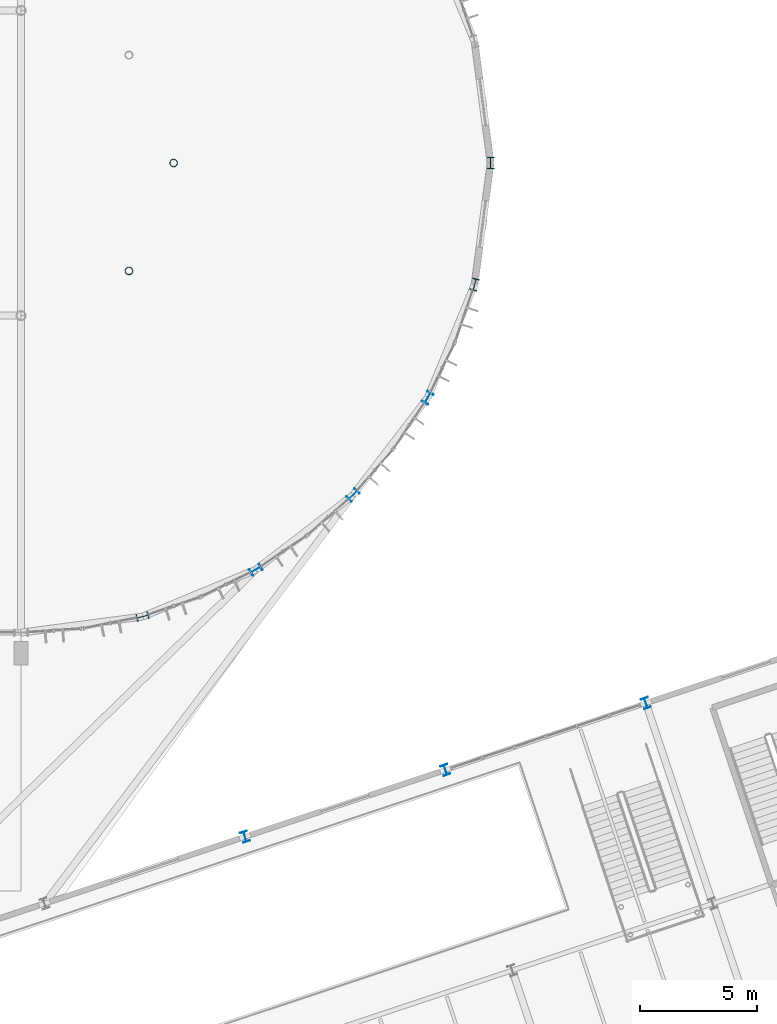
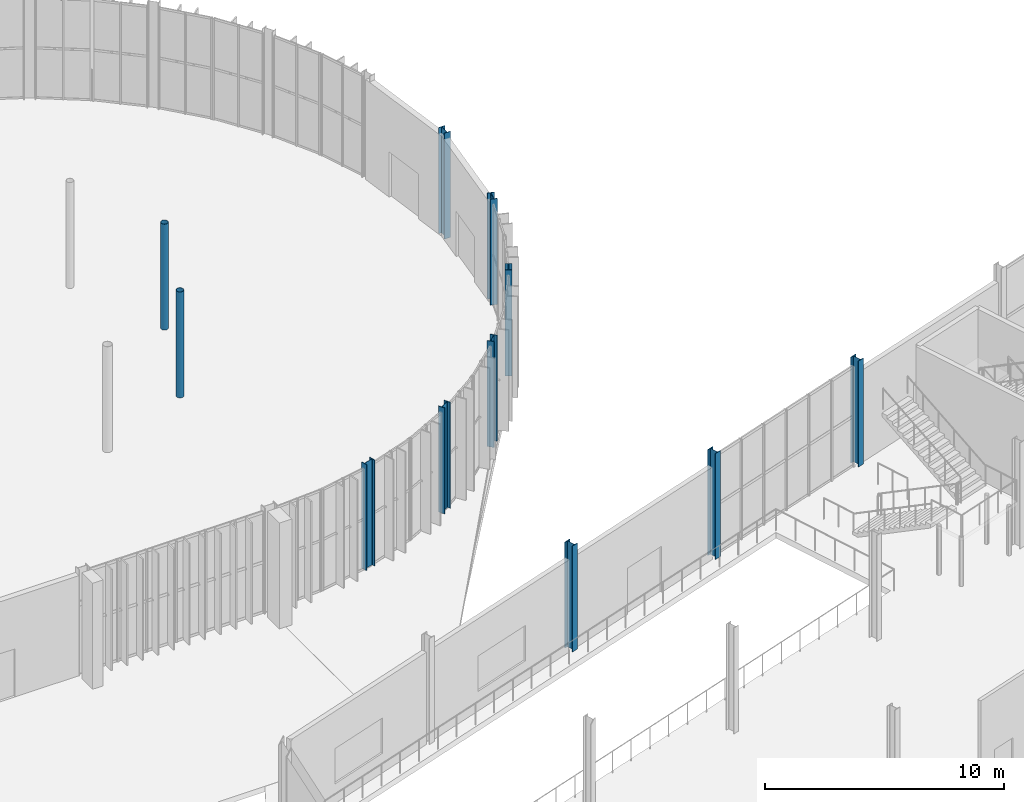
# One storey, part 8 of 158: 11 columns.
"""IFC4 building model written with IfcOpenShell, lengths in metres."""

from ifc_helpers import new_model, si_unit, derived_unit, direction, frame, origin, origin_2d, place, context, subcontext, project, spatial, hollow_circle, i_section, extrude, material, material_profile, profile_set, type_object, element, save


model = new_model("IFC4")

# Units and contexts
model_context = context("Model", 3, precision=1e-05, world=origin(), true_north=direction((0.0, 1.0)))
body_context = subcontext(model_context, "Body", "Model", "MODEL_VIEW")
ifc_project = project(units=[si_unit("LENGTHUNIT", "METRE"), si_unit("AREAUNIT", "SQUARE_METRE"), si_unit("VOLUMEUNIT", "CUBIC_METRE"), si_unit("PLANEANGLEUNIT", "RADIAN"), si_unit("MASSUNIT", "GRAM", prefix="KILO"), si_unit("THERMODYNAMICTEMPERATUREUNIT", "KELVIN"), si_unit("TIMEUNIT", "SECOND"), derived_unit("THERMALTRANSMITTANCEUNIT", [(si_unit("MASSUNIT", "GRAM", prefix="KILO"), 1), (si_unit("THERMODYNAMICTEMPERATUREUNIT", "KELVIN"), -1), (si_unit("TIMEUNIT", "SECOND"), -3)])], contexts=[model_context])

# Site, building, storey
site_placement = place(None, origin())
site = spatial("IfcSite", under=ifc_project, at=site_placement, CompositionType="ELEMENT")
building_placement = place(site_placement, origin())
building = spatial("IfcBuilding", under=site, at=building_placement, Name="Cambertide Market Hall", CompositionType="ELEMENT")
storey_placement = place(building_placement, origin())
storey = spatial("IfcBuildingStorey", under=building, at=storey_placement, Name="L01", CompositionType="ELEMENT", Elevation=0.0)

# Columns
ifc_material_1 = material(Name="Steel S355", Category="steel")
ifc_material_profile_1 = material_profile(ifc_material_1, i_section(OverallWidth=0.300048828125, OverallDepth=0.449951171875, WebThickness=0.013916015625, FlangeThickness=0.02587890625, FilletRadius=0.027099609375, at=origin_2d()), Name="HEB 450")
ifc_profile_set_1 = profile_set([ifc_material_profile_1], Name="Steel S355")
column_type_1 = type_object("IfcColumnType", Name="Exterior Steel Column HEB 450", PredefinedType="COLUMN", material=ifc_profile_set_1)
for number, where, z_axis, x_axis, name in (
    (1, (114.5380859375, 43.306640625, 0.0), (0.0, 0.0, 1.0), (0.94868329805, 0.316227766018, 0.0), "Level 1 Column COL-V3-3-4-L01"),
    (2, (123.076416015625, 46.152587890625, 0.0), (0.0, 0.0, 1.0), (0.94868329805, 0.316227766018, 0.0), "Level 1 Column COL-V3-4-4-L01"),
    (3, (131.614501953125, 48.99853515625, 0.0), (0.0, 0.0, 1.0), (0.94868329805, 0.316227766018, 0.0), "Level 1 Column COL-V3-5-4-L01"),
):
    element("IfcColumn", number, at=place(storey_placement, frame(where, z_axis=z_axis, x_axis=x_axis)), inside=storey, type_object=column_type_1, Name=name, PredefinedType="COLUMN", context=body_context, shape_type="SweptSolid", body=[
        extrude(i_section(OverallWidth=0.300048828125, OverallDepth=0.449951171875, WebThickness=0.013916015625, FlangeThickness=0.02587890625, FilletRadius=0.027099609375, at=origin_2d()), origin(), (0.0, 0.0, 1.0), 5.39990234375),
    ])
ifc_material_2 = material(Name="Steel S355", Category="steel")
ifc_material_profile_2 = material_profile(ifc_material_2, i_section(OverallWidth=0.300048828125, OverallDepth=0.5, WebThickness=0.014404296875, FlangeThickness=0.028076171875, FilletRadius=0.027099609375, at=origin_2d()), Name="HEB 500")
ifc_profile_set_2 = profile_set([ifc_material_profile_2], Name="Steel S355")
column_type_2 = type_object("IfcColumnType", Name="Exterior Steel Column HEB 500", PredefinedType="COLUMN", material=ifc_profile_set_2)
for number, where, z_axis, x_axis, name in (
    (4, (110.17626953125, 52.681396484375, 0.0), (0.0, 0.0, 1.0), (0.258819045103, -0.965925826289, 0.0), "Level 1 Column COL-V1-AE02-L01"),
    (5, (115.0, 54.679443359375, 0.0), (0.0, 0.0, 1.0), (0.5, -0.866025403784, 0.0), "Level 1 Column COL-V1-AE04-L01"),
    (6, (119.14208984375, 57.85791015625, 0.0), (0.0, 0.0, 1.0), (0.707106781187, -0.707106781187, 0.0), "Level 1 Column COL-V1-AE06-L01"),
    (7, (122.320556640625, 62.0, 0.0), (0.0, 0.0, 1.0), (0.866025403784, -0.5, 0.0), "Level 1 Column COL-V1-AE08-L01"),
    (8, (124.318603515625, 66.82373046875, 0.0), (0.0, 0.0, 1.0), (0.965925826289, -0.258819045103, 0.0), "Level 1 Column COL-V1-AE10-L01"),
    (9, (125.0, 72.0, 0.0), (0.0, 0.0, 1.0), (1.0, 0.0, 0.0), "Level 1 Column COL-V1-AE12-L01"),
):
    element("IfcColumn", number, at=place(storey_placement, frame(where, z_axis=z_axis, x_axis=x_axis)), inside=storey, type_object=column_type_2, Name=name, PredefinedType="COLUMN", context=body_context, shape_type="SweptSolid", body=[
        extrude(i_section(OverallWidth=0.300048828125, OverallDepth=0.5, WebThickness=0.014404296875, FlangeThickness=0.028076171875, FilletRadius=0.027099609375, at=origin_2d()), origin(), (0.0, 0.0, 1.0), 5.39990234375),
    ])
ifc_material_3 = material(Name="Steel S355", Category="steel")
ifc_material_profile_3 = material_profile(ifc_material_3, hollow_circle(Radius=0.161865234375, WallThickness=0.010009765625, at=origin_2d()), Name="CHS 323.9x10")
ifc_profile_set_3 = profile_set([ifc_material_profile_3], Name="Steel S355")
column_type_3 = type_object("IfcColumnType", Name="Steel Column CHS 323.9x10", PredefinedType="COLUMN", material=ifc_profile_set_3)
for number, where, z_axis, x_axis, name in (
    (10, (109.59619140625, 67.40380859375, 0.0), (0.0, 0.0, 1.0), (1.0, 0.0, 0.0), "Level 1 Column COL-V1-ME06-L01"),
    (11, (111.5, 72.0, 0.0), (0.0, 0.0, 1.0), (1.0, 0.0, 0.0), "Level 1 Column COL-V1-ME12-L01"),
):
    element("IfcColumn", number, at=place(storey_placement, frame(where, z_axis=z_axis, x_axis=x_axis)), inside=storey, type_object=column_type_3, Name=name, PredefinedType="COLUMN", context=body_context, shape_type="SweptSolid", body=[
        extrude(hollow_circle(Radius=0.161865234375, WallThickness=0.010009765625, at=origin_2d()), origin(), (0.0, 0.0, 1.0), 5.39990234375),
    ])

save(model, "model.ifc")
